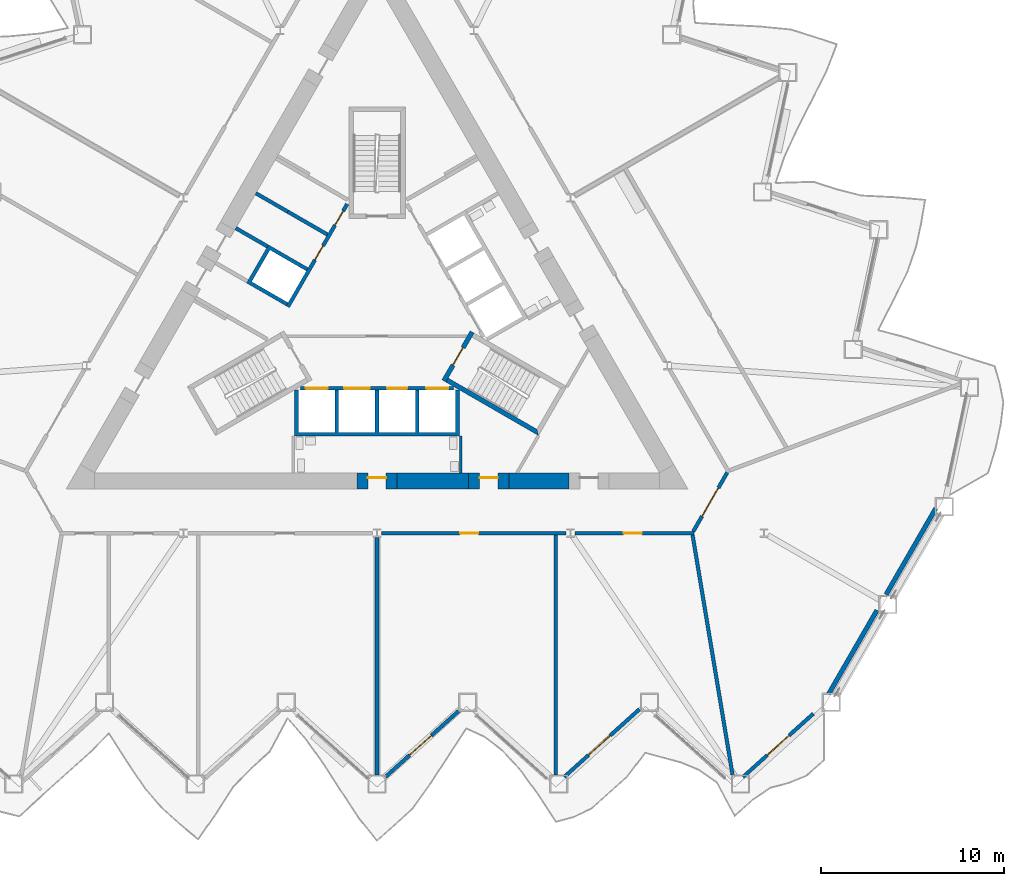
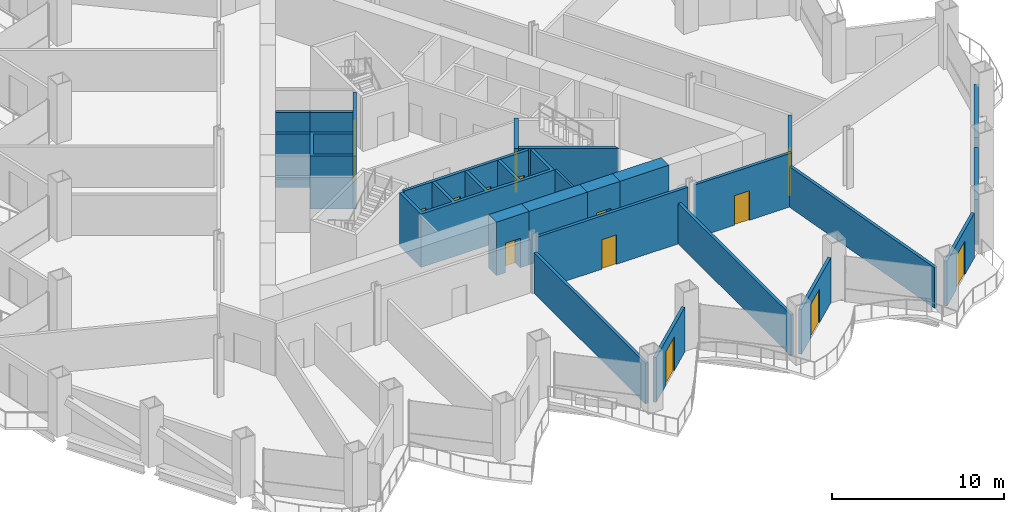
# One storey, part 10 of 20: 25 walls, 15 doors, 15 openings.
"""IFC4 building model written with IfcOpenShell, lengths in metres."""

from ifc_helpers import new_model, si_unit, direction, frame, frame_2d, origin, place, context, subcontext, project, spatial, polyline, rectangle, outline, extrude, material, layer, layer_set, type_object, element, fill, save


model = new_model("IFC4")

# Units and contexts
model_context = context("Model", 3, precision=1e-05, world=origin(), true_north=direction((0.0, 1.0)))
body_context = subcontext(model_context, "Body", "Model", "MODEL_VIEW")
ifc_project = project(units=[si_unit("LENGTHUNIT", "METRE"), si_unit("AREAUNIT", "SQUARE_METRE"), si_unit("VOLUMEUNIT", "CUBIC_METRE"), si_unit("PLANEANGLEUNIT", "RADIAN"), si_unit("MASSUNIT", "GRAM", prefix="KILO")], contexts=[model_context])

# Site, building, storey
site_placement = place(None, origin())
site = spatial("IfcSite", under=ifc_project, at=site_placement, CompositionType="ELEMENT")
building_placement = place(site_placement, origin())
building = spatial("IfcBuilding", under=site, at=building_placement, Name="Cormorant Prow Tower", CompositionType="ELEMENT")
storey_placement = place(building_placement, frame((0.0, 0.0, 55.199951171875)))
storey = spatial("IfcBuildingStorey", under=building, at=storey_placement, Name="L11", CompositionType="ELEMENT", Elevation=55.199951171875)

# Walls
ifc_material_1 = material(Name="Gypsum board partition")
ifc_layer_1 = layer(ifc_material_1, 0.14990234375)
ifc_layer_set_1 = layer_set([ifc_layer_1], Name="Gypsum board partition")
wall_type_1 = type_object("IfcWallType", Name="Core partition 150", PredefinedType="PARTITIONING", material=ifc_layer_set_1)
wall_1_placement = place(storey_placement, frame((4.574951171875, -6.906005859375, 0.0), z_axis=(0.0, 0.0, 1.0), x_axis=(0.0, -1.0, 0.0)))
element("IfcWall", 1, at=wall_1_placement, inside=storey, type_object=wall_type_1, Name="Service room partition", PredefinedType="PARTITIONING", context=body_context, shape_type="SweptSolid", body=[
    extrude(rectangle(XDim=2.009033203125, YDim=0.14990234375, at=frame_2d((1.00439453125, 0.0))), origin(), (0.0, 0.0, 1.0), 3.800048828125),
])
ifc_material_2 = material(Name="Concrete 8000 psi", Category="concrete")
ifc_layer_2 = layer(ifc_material_2, 0.89990234375)
ifc_layer_set_2 = layer_set([ifc_layer_2], Name="Concrete 8000 psi")
wall_type_2 = type_object("IfcWallType", Name="Core shear wall 900", PredefinedType="SHEAR", material=ifc_layer_set_2)
wall_2_placement = place(storey_placement, frame((1.10009765625, -9.364990234375, 0.0), z_axis=(0.0, 0.0, 1.0), x_axis=(1.0, 0.0, 0.0)))
element("IfcWall", 2, at=wall_2_placement, inside=storey, type_object=wall_type_2, Name="Core wall", PredefinedType="SHEAR", context=body_context, shape_type="SweptSolid", body=[
    extrude(rectangle(XDim=3.908935546875, YDim=0.89990234375, at=frame_2d((1.95458984375, 0.0))), origin(), (0.0, 0.0, 1.0), 3.800048828125),
])
wall_3_placement = place(storey_placement, frame((7.208984375, -9.364990234375, 0.0), z_axis=(0.0, 0.0, 1.0), x_axis=(1.0, 0.0, 0.0)))
element("IfcWall", 3, at=wall_3_placement, inside=storey, type_object=wall_type_2, Name="Core wall", PredefinedType="SHEAR", context=body_context, shape_type="SweptSolid", body=[
    extrude(rectangle(XDim=3.282470703125, YDim=0.89990234375, at=frame_2d((1.64111328125, 0.0))), origin(), (0.0, 0.0, 1.0), 3.800048828125),
])

# Wall, opening, door
wall_4_placement = place(storey_placement, frame((-1.10009765625, -9.364990234375, 0.0), z_axis=(0.0, 0.0, 1.0), x_axis=(1.0, 0.0, 0.0)))
wall_4 = element("IfcWall", 4, at=wall_4_placement, inside=storey, type_object=wall_type_2, Name="Core wall door panel", PredefinedType="SHEAR", context=body_context, shape_type="SweptSolid", body=[
    extrude(rectangle(XDim=2.2001953125, YDim=0.89990234375, at=frame_2d((1.10009765625, 0.0))), origin(), (0.0, 0.0, 1.0), 3.800048828125),
])
opening_1_placement = place(wall_4_placement, frame((0.60009765625, 0.0, 0.0)))
opening_1 = element("IfcOpeningElement", 5, at=opening_1_placement, cuts=wall_4, Name="Opening L11-C15", PredefinedType="OPENING", context=body_context, shape_type="SweptSolid", body=[
    extrude(rectangle(XDim=1.0, YDim=2.10009765625, at=frame_2d((0.5, 1.050048828125))), frame((0.0, 0.4599609375, 0.0), z_axis=(0.0, -1.0, 0.0), x_axis=(1.0, 0.0, 0.0)), (0.0, 0.0, 1.0), 0.919921875),
])
ifc_material_3 = material(Name="Painted steel", Category="steel")
door_type_1 = type_object("IfcDoorType", Name="Service door 1000x2100", OperationType="NOTDEFINED", PredefinedType="DOOR", material=ifc_material_3)
door_1_placement = place(opening_1_placement, origin())
door_1 = element("IfcDoor", 6, at=door_1_placement, inside=storey, type_object=door_type_1, Name="Core door, Toilets (women) L11", OperationType="SINGLE_SWING_LEFT", OverallHeight=2.10009765625, OverallWidth=1.0, PredefinedType="DOOR", context=body_context, shape_type="SweptSolid", body=[
    extrude(rectangle(XDim=1.0, YDim=2.10009765625, at=frame_2d((0.5, 1.050048828125))), frame((0.0, 0.205078125, 0.0), z_axis=(0.0, -1.0, 0.0), x_axis=(1.0, 0.0, 0.0)), (0.0, 0.0, 1.0), 0.050048828125),
])
fill(opening_1, door_1)

wall_5_placement = place(storey_placement, frame((5.009033203125, -9.364990234375, 0.0), z_axis=(0.0, 0.0, 1.0), x_axis=(1.0, 0.0, 0.0)))
wall_5 = element("IfcWall", 7, at=wall_5_placement, inside=storey, type_object=wall_type_2, Name="Core wall door panel", PredefinedType="SHEAR", context=body_context, shape_type="SweptSolid", body=[
    extrude(rectangle(XDim=2.199951171875, YDim=0.89990234375, at=frame_2d((1.10009765625, 0.0))), origin(), (0.0, 0.0, 1.0), 3.800048828125),
])
opening_2_placement = place(wall_5_placement, frame((0.60009765625, 0.0, 0.0)))
opening_2 = element("IfcOpeningElement", 8, at=opening_2_placement, cuts=wall_5, Name="Opening L11-C22", PredefinedType="OPENING", context=body_context, shape_type="SweptSolid", body=[
    extrude(rectangle(XDim=1.0, YDim=2.10009765625, at=frame_2d((0.5, 1.050048828125))), frame((0.0, 0.4599609375, 0.0), z_axis=(0.0, -1.0, 0.0), x_axis=(1.0, 0.0, 0.0)), (0.0, 0.0, 1.0), 0.919921875),
])
door_2_placement = place(opening_2_placement, origin())
door_2 = element("IfcDoor", 9, at=door_2_placement, inside=storey, type_object=door_type_1, Name="Core door, Mechanical riser room", OperationType="SINGLE_SWING_LEFT", OverallHeight=2.10009765625, OverallWidth=1.0, PredefinedType="DOOR", context=body_context, shape_type="SweptSolid", body=[
    extrude(rectangle(XDim=1.0, YDim=2.10009765625, at=frame_2d((0.5, 1.050048828125))), frame((0.0, 0.205078125, 0.0), z_axis=(0.0, -1.0, 0.0), x_axis=(1.0, 0.0, 0.0)), (0.0, 0.0, 1.0), 0.050048828125),
])
fill(opening_2, door_2)

ifc_material_4 = material(Name="Gypsum board corridor wall")
ifc_layer_3 = layer(ifc_material_4, 0.199951171875)
ifc_layer_set_3 = layer_set([ifc_layer_3], Name="Gypsum board corridor wall")
wall_type_3 = type_object("IfcWallType", Name="Corridor wall 200", PredefinedType="PARTITIONING", material=ifc_layer_set_3)
wall_6_placement = place(storey_placement, frame((0.2421875, -12.215087890625, 0.0), z_axis=(0.0, 0.0, 1.0), x_axis=(1.0, 0.0, 0.0)))
wall_6 = element("IfcWall", 10, at=wall_6_placement, inside=storey, type_object=wall_type_3, Name="Corridor wall", PredefinedType="PARTITIONING", context=body_context, shape_type="SweptSolid", body=[
    extrude(rectangle(XDim=10.093994140625, YDim=0.199951171875, at=frame_2d((5.046875, 0.0))), origin(), (0.0, 0.0, 1.0), 3.800048828125),
])
opening_3_placement = place(wall_6_placement, frame((4.294189453125, 0.0, 0.0)))
opening_3 = element("IfcOpeningElement", 11, at=opening_3_placement, cuts=wall_6, Name="Opening L11-F04", PredefinedType="OPENING", context=body_context, shape_type="SweptSolid", body=[
    extrude(rectangle(XDim=1.0, YDim=2.10009765625, at=frame_2d((0.5, 1.050048828125))), frame((0.0, 0.10986328125, 0.0), z_axis=(0.0, -1.0, 0.0), x_axis=(1.0, 0.0, 0.0)), (0.0, 0.0, 1.0), 0.219970703125),
])
ifc_material_5 = material(Name="Timber door leaf", Category="wood")
door_type_2 = type_object("IfcDoorType", Name="Office door 1000x2100", OperationType="NOTDEFINED", PredefinedType="DOOR", material=ifc_material_5)
door_3_placement = place(opening_3_placement, origin())
door_3 = element("IfcDoor", 12, at=door_3_placement, inside=storey, type_object=door_type_2, Name="Open-plan office door", OperationType="SINGLE_SWING_LEFT", OverallHeight=2.10009765625, OverallWidth=1.0, PredefinedType="DOOR", context=body_context, shape_type="SweptSolid", body=[
    extrude(rectangle(XDim=1.0, YDim=2.10009765625, at=frame_2d((0.5, 1.050048828125))), frame((0.0, 0.02490234375, 0.0), z_axis=(0.0, -1.0, 0.0), x_axis=(1.0, 0.0, 0.0)), (0.0, 0.0, 1.0), 0.050048828125),
])
fill(opening_3, door_3)

wall_7_placement = place(storey_placement, frame((10.82080078125, -12.215087890625, 0.0), z_axis=(0.0, 0.0, 1.0), x_axis=(1.0, 0.0, 0.0)))
wall_7 = element("IfcWall", 13, at=wall_7_placement, inside=storey, type_object=wall_type_3, Name="Corridor wall", PredefinedType="PARTITIONING", context=body_context, shape_type="SweptSolid", body=[
    extrude(rectangle(XDim=6.510009765625, YDim=0.199951171875, at=frame_2d((3.2548828125, 0.0))), origin(), (0.0, 0.0, 1.0), 3.800048828125),
])
opening_4_placement = place(wall_7_placement, frame((2.65478515625, 0.0, 0.0)))
opening_4 = element("IfcOpeningElement", 14, at=opening_4_placement, cuts=wall_7, Name="Opening L11-F05", PredefinedType="OPENING", context=body_context, shape_type="SweptSolid", body=[
    extrude(rectangle(XDim=1.0, YDim=2.10009765625, at=frame_2d((0.5, 1.050048828125))), frame((0.0, 0.10986328125, 0.0), z_axis=(0.0, -1.0, 0.0), x_axis=(1.0, 0.0, 0.0)), (0.0, 0.0, 1.0), 0.219970703125),
])
door_4_placement = place(opening_4_placement, origin())
door_4 = element("IfcDoor", 15, at=door_4_placement, inside=storey, type_object=door_type_2, Name="Tenant suite door", OperationType="SINGLE_SWING_LEFT", OverallHeight=2.10009765625, OverallWidth=1.0, PredefinedType="DOOR", context=body_context, shape_type="SweptSolid", body=[
    extrude(rectangle(XDim=1.0, YDim=2.10009765625, at=frame_2d((0.5, 1.050048828125))), frame((0.0, 0.02490234375, 0.0), z_axis=(0.0, -1.0, 0.0), x_axis=(1.0, 0.0, 0.0)), (0.0, 0.0, 1.0), 0.050048828125),
])
fill(opening_4, door_4)

wall_8_placement = place(storey_placement, frame((17.281005859375, -12.12841796875, 0.0), z_axis=(0.0, 0.0, 1.0), x_axis=(0.499958791762, 0.866049194065, 0.0)))
wall_8 = element("IfcWall", 16, at=wall_8_placement, inside=storey, type_object=wall_type_3, Name="Corridor wall", PredefinedType="PARTITIONING", context=body_context, shape_type="SweptSolid", body=[
    extrude(rectangle(XDim=3.725830078125, YDim=0.199951171875, at=frame_2d((1.86279296875, 0.0))), origin(), (0.0, 0.0, 1.0), 3.800048828125),
])
opening_5_placement = place(wall_8_placement, frame((0.962890625, 0.0, 0.0)))
opening_5 = element("IfcOpeningElement", 17, at=opening_5_placement, cuts=wall_8, Name="Opening L11-F06", PredefinedType="OPENING", context=body_context, shape_type="SweptSolid", body=[
    extrude(rectangle(XDim=1.800048828125, YDim=2.10009765625, at=frame_2d((0.89990234375, 1.050048828125))), frame((0.0, 0.10986328125, 0.0), z_axis=(0.0, -1.0, 0.0), x_axis=(1.0, 0.0, 0.0)), (0.0, 0.0, 1.0), 0.219970703125),
])
ifc_material_6 = material(Name="Timber door leaf", Category="wood")
door_type_3 = type_object("IfcDoorType", Name="Double door 1800x2100", OperationType="DOUBLE_DOOR_SINGLE_SWING", PredefinedType="DOOR", material=ifc_material_6)
door_5_placement = place(opening_5_placement, origin())
door_5 = element("IfcDoor", 18, at=door_5_placement, inside=storey, type_object=door_type_3, Name="Open-plan office door", OperationType="DOUBLE_DOOR_SINGLE_SWING", OverallHeight=2.10009765625, OverallWidth=1.800048828125, PredefinedType="DOOR", context=body_context, shape_type="SweptSolid", body=[
    extrude(rectangle(XDim=1.800048828125, YDim=2.10009765625, at=frame_2d((0.89990234375, 1.050048828125))), frame((0.0, 0.02490234375, 0.0), z_axis=(0.0, -1.0, 0.0), x_axis=(1.0, 0.0, 0.0)), (0.0, 0.0, 1.0), 0.050048828125),
])
fill(opening_5, door_5)

# Walls
ifc_material_7 = material(Name="Gypsum board demising wall")
ifc_layer_4 = layer(ifc_material_7, 0.199951171875)
ifc_layer_set_4 = layer_set([ifc_layer_4], Name="Gypsum board demising wall")
wall_type_4 = type_object("IfcWallType", Name="Demising wall 200", PredefinedType="PARTITIONING", material=ifc_layer_set_4)
wall_9_placement = place(storey_placement, frame((17.247314453125, -12.313720703125, 0.0), z_axis=(0.0, 0.0, 1.0), x_axis=(0.164396008001, -0.986394420378, 0.0)))
element("IfcWall", 19, at=wall_9_placement, inside=storey, type_object=wall_type_4, Name="Demising wall", PredefinedType="PARTITIONING", context=body_context, shape_type="SweptSolid", body=[
    extrude(rectangle(XDim=13.28857421875, YDim=0.199951171875, at=frame_2d((6.644287109375, 0.0))), origin(), (0.0, 0.0, 1.0), 2.88525390625),
])
wall_10_placement = place(storey_placement, frame((9.775390625, -25.42138671875, 0.0), z_axis=(0.0, 0.0, 1.0), x_axis=(0.0, 1.0, 0.0)))
element("IfcWall", 20, at=wall_10_placement, inside=storey, type_object=wall_type_4, Name="Demising wall", PredefinedType="PARTITIONING", context=body_context, shape_type="SweptSolid", body=[
    extrude(rectangle(XDim=13.1064453125, YDim=0.199951171875, at=frame_2d((6.55322265625, 0.0))), origin(), (0.0, 0.0, 1.0), 2.88525390625),
])
wall_11_placement = place(storey_placement, frame((0.0, -25.42138671875, 0.0), z_axis=(0.0, 0.0, 1.0), x_axis=(0.0, 1.0, 0.0)))
element("IfcWall", 21, at=wall_11_placement, inside=storey, type_object=wall_type_4, Name="Demising wall", PredefinedType="PARTITIONING", context=body_context, shape_type="SweptSolid", body=[
    extrude(rectangle(XDim=12.964111328125, YDim=0.199951171875, at=frame_2d((6.48193359375, 0.0))), origin(), (0.0, 0.0, 1.0), 2.88525390625),
])

# Wall, openings, doors
ifc_material_8 = material(Name="Concrete 5000 psi", Category="concrete")
ifc_layer_5 = layer(ifc_material_8, 0.199951171875)
ifc_layer_set_5 = layer_set([ifc_layer_5], Name="Concrete 5000 psi")
wall_type_5 = type_object("IfcWallType", Name="Lift lobby wall 200", PredefinedType="SOLIDWALL", material=ifc_layer_set_5)
wall_12_placement = place(storey_placement, frame((-4.1865234375, -4.300048828125, 0.0), z_axis=(0.0, 0.0, 1.0), x_axis=(1.0, 0.0, 0.0)))
wall_12 = element("IfcWall", 22, at=wall_12_placement, inside=storey, type_object=wall_type_5, Name="Lift lobby wall, S block", PredefinedType="SOLIDWALL", context=body_context, shape_type="SweptSolid", body=[
    extrude(rectangle(XDim=8.373046875, YDim=0.199951171875, at=frame_2d((4.1865234375, 0.0))), origin(), (0.0, 0.0, 1.0), 3.800048828125),
])
opening_6_placement = place(wall_12_placement, frame((0.28662109375, 0.0, 0.0)))
opening_6 = element("IfcOpeningElement", 23, at=opening_6_placement, cuts=wall_12, Name="Opening L11-C01", PredefinedType="OPENING", context=body_context, shape_type="SweptSolid", body=[
    extrude(rectangle(XDim=1.199951171875, YDim=2.10009765625, at=frame_2d((0.60009765625, 1.050048828125))), frame((0.0, 0.10986328125, 0.0), z_axis=(0.0, -1.0, 0.0), x_axis=(1.0, 0.0, 0.0)), (0.0, 0.0, 1.0), 0.219970703125),
])
opening_7_placement = place(wall_12_placement, frame((2.38671875, 0.0, 0.0)))
opening_7 = element("IfcOpeningElement", 24, at=opening_7_placement, cuts=wall_12, Name="Opening L11-C02", PredefinedType="OPENING", context=body_context, shape_type="SweptSolid", body=[
    extrude(rectangle(XDim=1.39990234375, YDim=2.10009765625, at=frame_2d((0.699951171875, 1.050048828125))), frame((0.0, 0.10986328125, 0.0), z_axis=(0.0, -1.0, 0.0), x_axis=(1.0, 0.0, 0.0)), (0.0, 0.0, 1.0), 0.219970703125),
])
opening_8_placement = place(wall_12_placement, frame((4.736572265625, 0.0, 0.0)))
opening_8 = element("IfcOpeningElement", 25, at=opening_8_placement, cuts=wall_12, Name="Opening L11-C03", PredefinedType="OPENING", context=body_context, shape_type="SweptSolid", body=[
    extrude(rectangle(XDim=1.10009765625, YDim=2.10009765625, at=frame_2d((0.550048828125, 1.050048828125))), frame((0.0, 0.10986328125, 0.0), z_axis=(0.0, -1.0, 0.0), x_axis=(1.0, 0.0, 0.0)), (0.0, 0.0, 1.0), 0.219970703125),
])
opening_9_placement = place(wall_12_placement, frame((6.88671875, 0.0, 0.0)))
opening_9 = element("IfcOpeningElement", 26, at=opening_9_placement, cuts=wall_12, Name="Opening L11-C04", PredefinedType="OPENING", context=body_context, shape_type="SweptSolid", body=[
    extrude(rectangle(XDim=1.199951171875, YDim=2.10009765625, at=frame_2d((0.60009765625, 1.050048828125))), frame((0.0, 0.10986328125, 0.0), z_axis=(0.0, -1.0, 0.0), x_axis=(1.0, 0.0, 0.0)), (0.0, 0.0, 1.0), 0.219970703125),
])
ifc_material_9 = material(Name="Painted steel", Category="steel")
door_type_4 = type_object("IfcDoorType", Name="Firefighting lift landing door 1200x2100", OperationType="SLIDING_TO_LEFT", PredefinedType="DOOR", material=ifc_material_9)
door_6_placement = place(opening_6_placement, origin())
door_6 = element("IfcDoor", 27, at=door_6_placement, inside=storey, type_object=door_type_4, Name="Landing door FL1", OperationType="SLIDING_TO_LEFT", OverallHeight=2.10009765625, OverallWidth=1.199951171875, PredefinedType="DOOR", context=body_context, shape_type="SweptSolid", body=[
    extrude(rectangle(XDim=1.199951171875, YDim=2.10009765625, at=frame_2d((0.60009765625, 1.050048828125))), frame((0.0, 0.02490234375, 0.0), z_axis=(0.0, -1.0, 0.0), x_axis=(1.0, 0.0, 0.0)), (0.0, 0.0, 1.0), 0.050048828125),
])
fill(opening_6, door_6)
door_7_placement = place(opening_9_placement, origin())
door_7 = element("IfcDoor", 28, at=door_7_placement, inside=storey, type_object=door_type_4, Name="Landing door FL2", OperationType="SLIDING_TO_LEFT", OverallHeight=2.10009765625, OverallWidth=1.199951171875, PredefinedType="DOOR", context=body_context, shape_type="SweptSolid", body=[
    extrude(rectangle(XDim=1.199951171875, YDim=2.10009765625, at=frame_2d((0.60009765625, 1.050048828125))), frame((0.0, 0.02490234375, 0.0), z_axis=(0.0, -1.0, 0.0), x_axis=(1.0, 0.0, 0.0)), (0.0, 0.0, 1.0), 0.050048828125),
])
fill(opening_9, door_7)
ifc_material_10 = material(Name="Painted steel", Category="steel")
door_type_5 = type_object("IfcDoorType", Name="Lift landing door 1100x2100", OperationType="SLIDING_TO_LEFT", PredefinedType="DOOR", material=ifc_material_10)
door_8_placement = place(opening_8_placement, origin())
door_8 = element("IfcDoor", 29, at=door_8_placement, inside=storey, type_object=door_type_5, Name="Landing door LR1", OperationType="SLIDING_TO_LEFT", OverallHeight=2.10009765625, OverallWidth=1.10009765625, PredefinedType="DOOR", context=body_context, shape_type="SweptSolid", body=[
    extrude(rectangle(XDim=1.10009765625, YDim=2.10009765625, at=frame_2d((0.550048828125, 1.050048828125))), frame((0.0, 0.02490234375, 0.0), z_axis=(0.0, -1.0, 0.0), x_axis=(1.0, 0.0, 0.0)), (0.0, 0.0, 1.0), 0.050048828125),
])
fill(opening_8, door_8)
ifc_material_11 = material(Name="Painted steel", Category="steel")
door_type_6 = type_object("IfcDoorType", Name="Service lift landing door 1400x2100", OperationType="SLIDING_TO_LEFT", PredefinedType="DOOR", material=ifc_material_11)
door_9_placement = place(opening_7_placement, origin())
door_9 = element("IfcDoor", 30, at=door_9_placement, inside=storey, type_object=door_type_6, Name="Landing door SL1", OperationType="SLIDING_TO_LEFT", OverallHeight=2.10009765625, OverallWidth=1.39990234375, PredefinedType="DOOR", context=body_context, shape_type="SweptSolid", body=[
    extrude(rectangle(XDim=1.39990234375, YDim=2.10009765625, at=frame_2d((0.699951171875, 1.050048828125))), frame((0.0, 0.02490234375, 0.0), z_axis=(0.0, -1.0, 0.0), x_axis=(1.0, 0.0, 0.0)), (0.0, 0.0, 1.0), 0.050048828125),
])
fill(opening_7, door_9)

wall_13_placement = place(storey_placement, frame((-1.630615234375, 5.775634765625, 0.0), z_axis=(0.0, 0.0, 1.0), x_axis=(-0.499992876559, -0.866029516466, 0.0)))
wall_13 = element("IfcWall", 31, at=wall_13_placement, inside=storey, type_object=wall_type_5, Name="Lift lobby wall, WNW block", PredefinedType="SOLIDWALL", context=body_context, shape_type="SweptSolid", body=[
    extrude(rectangle(XDim=6.486328125, YDim=0.199951171875, at=frame_2d((3.2431640625, 0.0))), origin(), (0.0, 0.0, 1.0), 3.800048828125),
])
opening_10_placement = place(wall_13_placement, frame((0.4365234375, 0.0, 0.0)))
opening_10 = element("IfcOpeningElement", 32, at=opening_10_placement, cuts=wall_13, Name="Opening L11-C09", PredefinedType="OPENING", context=body_context, shape_type="SweptSolid", body=[
    extrude(rectangle(XDim=0.89990234375, YDim=2.10009765625, at=frame_2d((0.449951171875, 1.050048828125))), frame((0.0, 0.10986328125, 0.0), z_axis=(0.0, -1.0, 0.0), x_axis=(1.0, 0.0, 0.0)), (0.0, 0.0, 1.0), 0.219970703125),
])
opening_11_placement = place(wall_13_placement, frame((2.63671875, 0.0, 0.0)))
opening_11 = element("IfcOpeningElement", 33, at=opening_11_placement, cuts=wall_13, Name="Opening L11-C10", PredefinedType="OPENING", context=body_context, shape_type="SweptSolid", body=[
    extrude(rectangle(XDim=0.89990234375, YDim=2.10009765625, at=frame_2d((0.449951171875, 1.050048828125))), frame((0.0, 0.10986328125, 0.0), z_axis=(0.0, -1.0, 0.0), x_axis=(1.0, 0.0, 0.0)), (0.0, 0.0, 1.0), 0.219970703125),
])
ifc_material_12 = material(Name="Painted steel", Category="steel")
door_type_7 = type_object("IfcDoorType", Name="Service door 900x2100", OperationType="NOTDEFINED", PredefinedType="DOOR", material=ifc_material_12)
door_10_placement = place(opening_10_placement, origin())
door_10 = element("IfcDoor", 34, at=door_10_placement, inside=storey, type_object=door_type_7, Name="Service door, Electrical room", OperationType="SINGLE_SWING_LEFT", OverallHeight=2.10009765625, OverallWidth=0.89990234375, PredefinedType="DOOR", context=body_context, shape_type="SweptSolid", body=[
    extrude(rectangle(XDim=0.89990234375, YDim=2.10009765625, at=frame_2d((0.449951171875, 1.050048828125))), frame((0.0, 0.02490234375, 0.0), z_axis=(0.0, -1.0, 0.0), x_axis=(1.0, 0.0, 0.0)), (0.0, 0.0, 1.0), 0.050048828125),
])
fill(opening_10, door_10)
door_11_placement = place(opening_11_placement, origin())
door_11 = element("IfcDoor", 35, at=door_11_placement, inside=storey, type_object=door_type_7, Name="Service door, Linen store", OperationType="SINGLE_SWING_RIGHT", OverallHeight=2.10009765625, OverallWidth=0.89990234375, PredefinedType="DOOR", context=body_context, shape_type="SweptSolid", body=[
    extrude(rectangle(XDim=0.89990234375, YDim=2.10009765625, at=frame_2d((0.449951171875, 1.050048828125))), frame((0.0, 0.02490234375, 0.0), z_axis=(0.0, -1.0, 0.0), x_axis=(1.0, 0.0, 0.0)), (0.0, 0.0, 1.0), 0.050048828125),
])
fill(opening_11, door_11)

# Walls
ifc_material_13 = material(Name="Concrete 8000 psi", Category="concrete")
ifc_layer_6 = layer(ifc_material_13, 0.199951171875)
ifc_layer_set_6 = layer_set([ifc_layer_6], Name="Concrete 8000 psi")
wall_type_6 = type_object("IfcWallType", Name="Lift shaft wall 200", PredefinedType="SHEAR", material=ifc_layer_set_6)
wall_14_placement = place(storey_placement, origin())
element("IfcWall", 36, at=wall_14_placement, inside=storey, type_object=wall_type_6, Name="Lift shaft walls, S block", PredefinedType="SHEAR", context=body_context, shape_type="SweptSolid", body=[
    extrude(outline(polyline([(4.5, -4.39990234375), (4.5, -6.906005859375), (-4.5, -6.906005859375), (-4.5, -4.39990234375), (-4.300048828125, -4.39990234375), (-4.300048828125, -6.699951171875), (-2.300048828125, -6.699951171875), (-2.300048828125, -4.39990234375), (-2.10009765625, -4.39990234375), (-2.10009765625, -6.699951171875), (-0.10009765625, -6.699951171875), (-0.10009765625, -4.39990234375), (0.10009765625, -4.39990234375), (0.10009765625, -6.699951171875), (2.10009765625, -6.699951171875), (2.10009765625, -4.39990234375), (2.300048828125, -4.39990234375), (2.300048828125, -6.699951171875), (4.300048828125, -6.699951171875), (4.300048828125, -4.39990234375), (4.5, -4.39990234375)])), origin(), (0.0, 0.0, 1.0), 3.800048828125),
])
wall_15_placement = place(storey_placement, origin())
element("IfcWall", 37, at=wall_15_placement, inside=storey, type_object=wall_type_6, Name="Lift shaft walls, WNW block", PredefinedType="SHEAR", context=body_context, shape_type="SweptSolid", body=[
    extrude(outline(polyline([(-4.96044921875, 0.2080078125), (-7.130859375, 1.461181640625), (-5.930908203125, 3.53955078125), (-3.760498046875, 2.28662109375), (-3.860595703125, 2.11328125), (-5.852294921875, 3.263427734375), (-6.852294921875, 1.53125), (-4.860595703125, 0.38134765625), (-4.96044921875, 0.2080078125)])), origin(), (0.0, 0.0, 1.0), 3.800048828125),
])
wall_16_placement = place(storey_placement, origin())
element("IfcWall", 38, at=wall_16_placement, inside=storey, type_object=wall_type_6, Name="Lift shaft walls, WNW block", PredefinedType="SHEAR", context=body_context, shape_type="SweptSolid", body=[
    extrude(outline(polyline([(-2.760498046875, 4.018798828125), (-4.930908203125, 5.271728515625), (-4.830810546875, 5.44482421875), (-2.660400390625, 4.19189453125), (-2.760498046875, 4.018798828125)])), origin(), (0.0, 0.0, 1.0), 3.800048828125),
])
wall_17_placement = place(storey_placement, frame((-4.880859375, 5.3583984375, 0.0), z_axis=(0.0, 0.0, 1.0), x_axis=(-0.866035824272, 0.499981950752, 0.0)))
element("IfcWall", 39, at=wall_17_placement, inside=storey, type_object=wall_type_6, Name="Store side wall", PredefinedType="SHEAR", context=body_context, shape_type="SweptSolid", body=[
    extrude(rectangle(XDim=2.0087890625, YDim=0.199951171875, at=frame_2d((1.00439453125, 0.0))), origin(), (0.0, 0.0, 1.0), 3.800048828125),
])
wall_18_placement = place(storey_placement, frame((-5.980712890625, 3.452880859375, 0.0), z_axis=(0.0, 0.0, 1.0), x_axis=(-0.866013584312, 0.500020471368, 0.0)))
element("IfcWall", 40, at=wall_18_placement, inside=storey, type_object=wall_type_6, Name="Store side wall", PredefinedType="SHEAR", context=body_context, shape_type="SweptSolid", body=[
    extrude(rectangle(XDim=2.00927734375, YDim=0.199951171875, at=frame_2d((1.004638671875, 0.0))), origin(), (0.0, 0.0, 1.0), 3.800048828125),
])
ifc_material_14 = material(Name="Concrete 8000 psi", Category="concrete")
ifc_layer_7 = layer(ifc_material_14, 0.25)
ifc_layer_set_7 = layer_set([ifc_layer_7], Name="Concrete 8000 psi")
wall_type_7 = type_object("IfcWallType", Name="Stair wall 250", PredefinedType="SHEAR", material=ifc_layer_set_7)
wall_19_placement = place(storey_placement, origin())
element("IfcWall", 41, at=wall_19_placement, inside=storey, type_object=wall_type_7, Name="Stair ST2 enclosure wall (flank)", PredefinedType="SHEAR", context=body_context, shape_type="SweptSolid", body=[
    extrude(outline(polyline([(3.76318359375, -3.95556640625), (8.82958984375, -6.880615234375), (8.738037109375, -6.5390625), (3.88818359375, -3.739013671875), (3.76318359375, -3.95556640625)])), origin(), (0.0, 0.0, 1.0), 3.800048828125),
])

# Wall, opening, door
wall_20_placement = place(storey_placement, frame((3.655029296875, -3.89306640625, 0.0), z_axis=(0.0, 0.0, 1.0), x_axis=(0.499982516597, 0.866035497597, 0.0)))
wall_20 = element("IfcWall", 42, at=wall_20_placement, inside=storey, type_object=wall_type_7, Name="Stair ST2 door wall", PredefinedType="SHEAR", context=body_context, shape_type="SweptSolid", body=[
    extrude(rectangle(XDim=3.087890625, YDim=0.25, at=frame_2d((1.5439453125, 0.0))), origin(), (0.0, 0.0, 1.0), 3.800048828125),
])
opening_12_placement = place(wall_20_placement, frame((0.993896484375, 0.0, 0.0)))
opening_12 = element("IfcOpeningElement", 43, at=opening_12_placement, cuts=wall_20, Name="Opening L11-C13", PredefinedType="OPENING", context=body_context, shape_type="SweptSolid", body=[
    extrude(rectangle(XDim=1.10009765625, YDim=2.10009765625, at=frame_2d((0.550048828125, 1.050048828125))), frame((0.0, 0.135009765625, 0.0), z_axis=(0.0, -1.0, 0.0), x_axis=(1.0, 0.0, 0.0)), (0.0, 0.0, 1.0), 0.27001953125),
])
ifc_material_15 = material(Name="Painted steel", Category="steel")
door_type_8 = type_object("IfcDoorType", Name="Stair door 1100x2100", OperationType="NOTDEFINED", PredefinedType="DOOR", material=ifc_material_15)
door_12_placement = place(opening_12_placement, origin())
door_12 = element("IfcDoor", 44, at=door_12_placement, inside=storey, type_object=door_type_8, Name="Stair ST2 door", OperationType="SINGLE_SWING_RIGHT", OverallHeight=2.10009765625, OverallWidth=1.10009765625, PredefinedType="DOOR", context=body_context, shape_type="SweptSolid", body=[
    extrude(rectangle(XDim=1.10009765625, YDim=2.10009765625, at=frame_2d((0.550048828125, 1.050048828125))), frame((0.0, 0.02490234375, 0.0), z_axis=(0.0, -1.0, 0.0), x_axis=(1.0, 0.0, 0.0)), (0.0, 0.0, 1.0), 0.050048828125),
])
fill(opening_12, door_12)

# Walls
ifc_material_16 = material(Name="Terracotta", Category="masonry")
ifc_layer_8 = layer(ifc_material_16, 0.25)
ifc_layer_set_8 = layer_set([ifc_layer_8], Name="Terracotta")
wall_type_8 = type_object("IfcWallType", Name="Terracotta bay wall 250", PredefinedType="SOLIDWALL", material=ifc_layer_set_8)
wall_21_placement = place(storey_placement, frame((24.68212890625, -21.0146484375, 0.0), z_axis=(0.0, 0.0, 1.0), x_axis=(0.500008603535, 0.866020436474, 0.0)))
element("IfcWall", 45, at=wall_21_placement, inside=storey, type_object=wall_type_8, Name="Terracotta bay wall ESE00", PredefinedType="SOLIDWALL", context=body_context, shape_type="SweptSolid", body=[
    extrude(rectangle(XDim=5.29296875, YDim=0.25, at=frame_2d((2.646484375, 0.0))), origin(), (0.0, 0.0, 1.0), 3.18896484375),
])
wall_22_placement = place(storey_placement, frame((27.827392578125, -15.56689453125, 0.0), z_axis=(0.0, 0.0, 1.0), x_axis=(0.499991204533, 0.86603048179, 0.0)))
element("IfcWall", 46, at=wall_22_placement, inside=storey, type_object=wall_type_8, Name="Terracotta bay wall ESE01", PredefinedType="SOLIDWALL", context=body_context, shape_type="SweptSolid", body=[
    extrude(rectangle(XDim=5.42578125, YDim=0.25, at=frame_2d((2.712890625, 0.0))), origin(), (0.0, 0.0, 1.0), 3.18896484375),
])

# Wall, opening, door
ifc_material_17 = material(Name="Terracotta", Category="masonry")
ifc_layer_9 = layer(ifc_material_17, 0.199951171875)
ifc_layer_set_9 = layer_set([ifc_layer_9], Name="Terracotta")
wall_type_9 = type_object("IfcWallType", Name="Terracotta jamb wall 200", PredefinedType="SOLIDWALL", material=ifc_layer_set_9)
wall_23_placement = place(storey_placement, frame((0.45556640625, -25.542236328125, 0.0), z_axis=(0.0, 0.0, 1.0), x_axis=(0.743143413551, 0.669132174459, 0.0)))
wall_23 = element("IfcWall", 47, at=wall_23_placement, inside=storey, type_object=wall_type_9, Name="Terracotta jamb wall S05", PredefinedType="SOLIDWALL", context=body_context, shape_type="SweptSolid", body=[
    extrude(rectangle(XDim=5.396728515625, YDim=0.199951171875, at=frame_2d((2.6982421875, 0.0))), origin(), (0.0, 0.0, 1.0), 3.18896484375),
])
opening_13_placement = place(wall_23_placement, frame((1.78564453125, 0.0, 0.0)))
opening_13 = element("IfcOpeningElement", 48, at=opening_13_placement, cuts=wall_23, Name="Opening ED11.03", PredefinedType="OPENING", context=body_context, shape_type="SweptSolid", body=[
    extrude(rectangle(XDim=1.60009765625, YDim=2.39990234375, at=frame_2d((0.800048828125, 1.199951171875))), frame((0.0, 0.10986328125, 0.0), z_axis=(0.0, -1.0, 0.0), x_axis=(1.0, 0.0, 0.0)), (0.0, 0.0, 1.0), 0.219970703125),
])
ifc_material_18 = material(Name="Aluminium 6063-T6", Category="aluminium")
door_type_9 = type_object("IfcDoorType", Name="Balcony door 1600x2400", OperationType="DOUBLE_DOOR_SINGLE_SWING", PredefinedType="DOOR", material=ifc_material_18)
door_13_placement = place(opening_13_placement, origin())
door_13 = element("IfcDoor", 49, at=door_13_placement, inside=storey, type_object=door_type_9, Name="Balcony door S05 ED11.03", OperationType="DOUBLE_DOOR_SINGLE_SWING", OverallHeight=2.39990234375, OverallWidth=1.60009765625, PredefinedType="DOOR", context=body_context, shape_type="SweptSolid", body=[
    extrude(rectangle(XDim=1.60009765625, YDim=2.39990234375, at=frame_2d((0.800048828125, 1.199951171875))), frame((0.0, 0.02490234375, 0.0), z_axis=(0.0, -1.0, 0.0), x_axis=(1.0, 0.0, 0.0)), (0.0, 0.0, 1.0), 0.050048828125),
])
fill(opening_13, door_13)

wall_24_placement = place(storey_placement, frame((10.23095703125, -25.542236328125, 0.0), z_axis=(0.0, 0.0, 1.0), x_axis=(0.743162549077, 0.669110921783, 0.0)))
wall_24 = element("IfcWall", 50, at=wall_24_placement, inside=storey, type_object=wall_type_9, Name="Terracotta jamb wall S07", PredefinedType="SOLIDWALL", context=body_context, shape_type="SweptSolid", body=[
    extrude(rectangle(XDim=5.535400390625, YDim=0.199951171875, at=frame_2d((2.767578125, 0.0))), origin(), (0.0, 0.0, 1.0), 3.18896484375),
])
opening_14_placement = place(wall_24_placement, frame((1.78564453125, 0.0, 0.0)))
opening_14 = element("IfcOpeningElement", 51, at=opening_14_placement, cuts=wall_24, Name="Opening ED11.04", PredefinedType="OPENING", context=body_context, shape_type="SweptSolid", body=[
    extrude(rectangle(XDim=1.60009765625, YDim=2.39990234375, at=frame_2d((0.800048828125, 1.199951171875))), frame((0.0, 0.10986328125, 0.0), z_axis=(0.0, -1.0, 0.0), x_axis=(1.0, 0.0, 0.0)), (0.0, 0.0, 1.0), 0.219970703125),
])
door_14_placement = place(opening_14_placement, origin())
door_14 = element("IfcDoor", 52, at=door_14_placement, inside=storey, type_object=door_type_9, Name="Balcony door S07 ED11.04", OperationType="DOUBLE_DOOR_SINGLE_SWING", OverallHeight=2.39990234375, OverallWidth=1.60009765625, PredefinedType="DOOR", context=body_context, shape_type="SweptSolid", body=[
    extrude(rectangle(XDim=1.60009765625, YDim=2.39990234375, at=frame_2d((0.800048828125, 1.199951171875))), frame((0.0, 0.02490234375, 0.0), z_axis=(0.0, -1.0, 0.0), x_axis=(1.0, 0.0, 0.0)), (0.0, 0.0, 1.0), 0.050048828125),
])
fill(opening_14, door_14)

wall_25_placement = place(storey_placement, frame((20.006591796875, -25.542236328125, 0.0), z_axis=(0.0, 0.0, 1.0), x_axis=(0.743150930715, 0.669123825743, 0.0)))
wall_25 = element("IfcWall", 53, at=wall_25_placement, inside=storey, type_object=wall_type_9, Name="Terracotta jamb wall S09", PredefinedType="SOLIDWALL", context=body_context, shape_type="SweptSolid", body=[
    extrude(rectangle(XDim=5.171142578125, YDim=0.199951171875, at=frame_2d((2.58544921875, 0.0))), origin(), (0.0, 0.0, 1.0), 3.18896484375),
])
opening_15_placement = place(wall_25_placement, frame((1.78564453125, 0.0, 0.0)))
opening_15 = element("IfcOpeningElement", 54, at=opening_15_placement, cuts=wall_25, Name="Opening ED11.05", PredefinedType="OPENING", context=body_context, shape_type="SweptSolid", body=[
    extrude(rectangle(XDim=1.60009765625, YDim=2.39990234375, at=frame_2d((0.800048828125, 1.199951171875))), frame((0.0, 0.10986328125, 0.0), z_axis=(0.0, -1.0, 0.0), x_axis=(1.0, 0.0, 0.0)), (0.0, 0.0, 1.0), 0.219970703125),
])
door_15_placement = place(opening_15_placement, origin())
door_15 = element("IfcDoor", 55, at=door_15_placement, inside=storey, type_object=door_type_9, Name="Balcony door S09 ED11.05", OperationType="DOUBLE_DOOR_SINGLE_SWING", OverallHeight=2.39990234375, OverallWidth=1.60009765625, PredefinedType="DOOR", context=body_context, shape_type="SweptSolid", body=[
    extrude(rectangle(XDim=1.60009765625, YDim=2.39990234375, at=frame_2d((0.800048828125, 1.199951171875))), frame((0.0, 0.02490234375, 0.0), z_axis=(0.0, -1.0, 0.0), x_axis=(1.0, 0.0, 0.0)), (0.0, 0.0, 1.0), 0.050048828125),
])
fill(opening_15, door_15)

save(model, "model.ifc")
